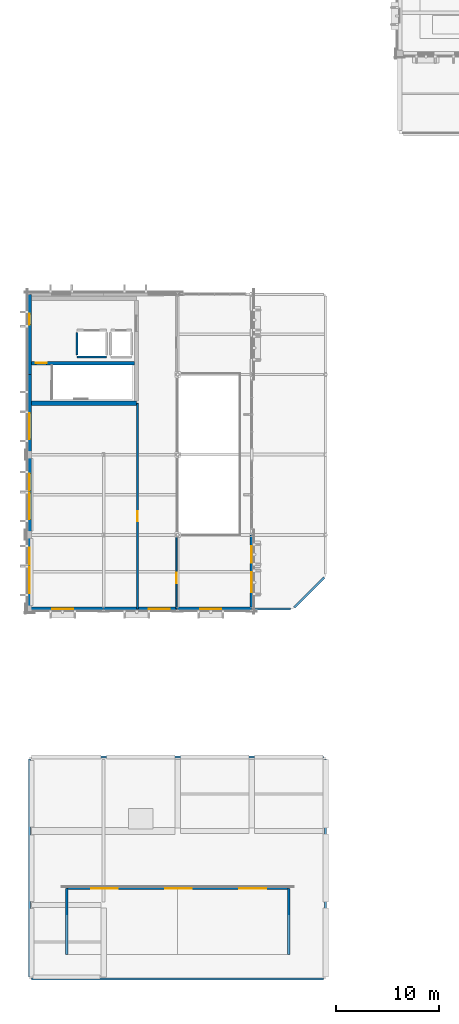
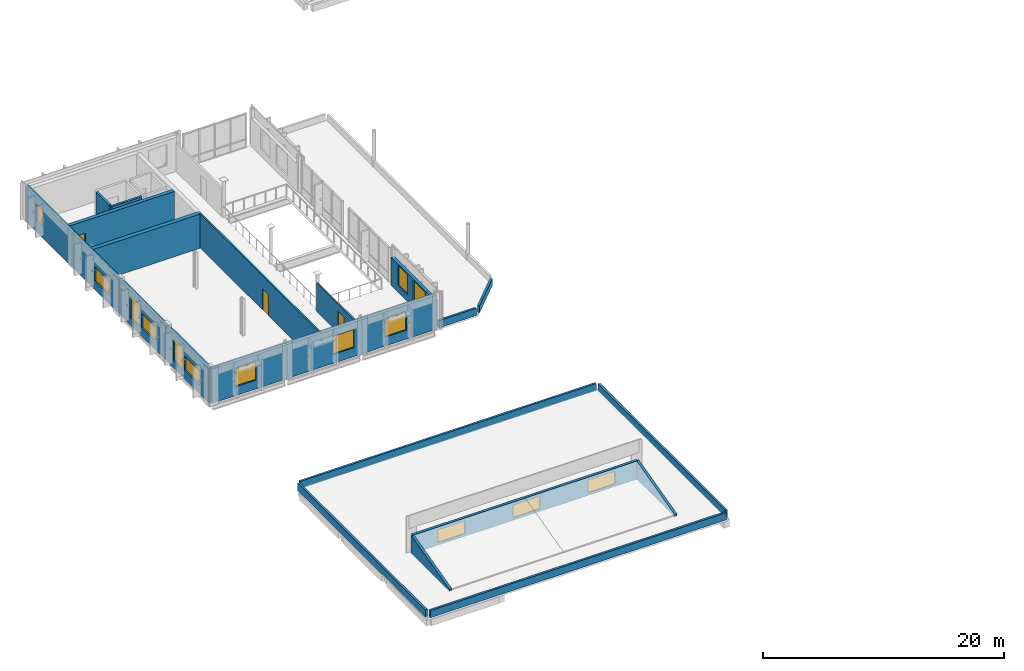
# One storey, part 10 of 23: 23 walls, 14 windows, 3 doors, 17 openings.
"""IFC4 building model written with IfcOpenShell, lengths in metres."""

import ifcopenshell
import ifcopenshell.guid

model = None  # the IFC model being written
_history = None  # IfcOwnerHistory: only IFC2X3 demands one
_inside = {}  # id of a spatial element -> (the spatial element, [elements in it])
_under = {}  # id of a project, library or spatial element -> (it, [spatial elements below it])
_declared = {}  # id of a project -> (the project, [libraries it declares])
_typed = {}  # id of a type object -> (the type object, [elements of that type])
_made_of = {}  # id of a material, layer set ... -> (it, [elements and type objects made of it])


def new_model(schema):
    """Start an empty IFC model of exactly this schema.

    Asked for "IFC4X3", IfcOpenShell would pick the latest addendum, in which some entities
    have other attributes; the version numbers below select the first issue.
    IFC2X3 requires an IfcOwnerHistory on every rooted entity: one is made here for all.
    """
    global model, _history
    if schema == "IFC4X3":
        model = ifcopenshell.file(schema_version=(4, 3, 0, 0))
    else:
        model = ifcopenshell.file(schema=schema)
    _inside.clear()
    _under.clear()
    _declared.clear()
    _typed.clear()
    _made_of.clear()
    _history = None
    if model.schema == "IFC2X3":
        org = make("IfcOrganization", Name="unknown")
        user = make(
            "IfcPersonAndOrganization",
            ThePerson=make("IfcPerson", FamilyName="unknown"),
            TheOrganization=org,
        )
        app = make(
            "IfcApplication",
            ApplicationDeveloper=org,
            Version="unknown",
            ApplicationFullName="unknown",
            ApplicationIdentifier="unknown",
        )
        _history = make(
            "IfcOwnerHistory",
            OwningUser=user,
            OwningApplication=app,
            ChangeAction="ADDED",
            CreationDate=0,
        )
    return model


def make(cls, **values):
    """One entity of the class cls with the attributes given. An attribute that is None is left unset."""
    return model.create_entity(
        cls, **{name: value for name, value in values.items() if value is not None}
    )


def rooted(cls, **values):
    """An entity with a GlobalId (a new one), such as an element, a storey or a relation."""
    return make(cls, GlobalId=ifcopenshell.guid.new(), OwnerHistory=_history, **values)


def si_unit(unit_type, name, prefix=None):
    """IfcSIUnit, for example si_unit("LENGTHUNIT", "METRE", prefix="MILLI")."""
    return make("IfcSIUnit", UnitType=unit_type, Prefix=prefix, Name=name)


def assignment(units):
    """IfcUnitAssignment: the units of a project."""
    return None if units is None else make("IfcUnitAssignment", Units=units)


def point(xyz):
    """IfcCartesianPoint."""
    return None if xyz is None else make("IfcCartesianPoint", Coordinates=xyz)


def direction(xyz):
    """IfcDirection."""
    return None if xyz is None else make("IfcDirection", DirectionRatios=xyz)


def frame(location, z_axis=None, x_axis=None):
    """IfcAxis2Placement3D, a coordinate frame: its origin and axes. An axis left out is left unset."""
    return make(
        "IfcAxis2Placement3D",
        Location=point(location),
        Axis=direction(z_axis),
        RefDirection=direction(x_axis),
    )


def frame_2d(location, x_axis=None):
    """IfcAxis2Placement2D, a coordinate frame in the plane: its origin and x axis."""
    return make(
        "IfcAxis2Placement2D", Location=point(location), RefDirection=direction(x_axis)
    )


def origin():
    """The frame at (0, 0, 0) with its axes left unset."""
    return frame((0.0, 0.0, 0.0))


def place(relative_to, where):
    """IfcLocalPlacement: puts the frame where relative to a parent placement (None: the world)."""
    return make(
        "IfcLocalPlacement", PlacementRelTo=relative_to, RelativePlacement=where
    )


def context(
    kind, dimensions, precision=None, world=None, true_north=None, identifier=None
):
    """IfcGeometricRepresentationContext, for example the 3D "Model" context."""
    return make(
        "IfcGeometricRepresentationContext",
        ContextIdentifier=identifier,
        ContextType=kind,
        CoordinateSpaceDimension=dimensions,
        Precision=precision,
        WorldCoordinateSystem=world,
        TrueNorth=true_north,
    )


def subcontext(parent, identifier, kind, view, scale=None):
    """IfcGeometricRepresentationSubContext, for example "Body" below "Model"."""
    return make(
        "IfcGeometricRepresentationSubContext",
        ContextIdentifier=identifier,
        ContextType=kind,
        ParentContext=parent,
        TargetScale=scale,
        TargetView=view,
    )


def project(units=None, contexts=None):
    """IfcProject with its units and contexts."""
    return rooted(
        "IfcProject",
        Name="project",
        RepresentationContexts=contexts,
        UnitsInContext=assignment(units),
    )


def spatial(cls, under=None, at=None, **own):
    """A site, building, storey or space (cls), placed at a placement, below another one or the project."""
    s = rooted(cls, ObjectPlacement=at, **own)
    if under is not None:
        _under.setdefault(under.id(), (under, []))[1].append(s)
    return s


def polyline(points):
    """IfcPolyline through the points."""
    return make("IfcPolyline", Points=[point(p) for p in points])


def profile(cls, at=None, kind="AREA", **sizes):
    """A parametric profile (cls). Its sizes go by their IFC names, for example OverallWidth=200.0."""
    return make(cls, ProfileType=kind, Position=at, **sizes)


def rectangle(**sizes):
    """IfcRectangleProfileDef."""
    return profile("IfcRectangleProfileDef", **sizes)


def outline(outer, holes=None, kind="AREA"):
    """IfcArbitraryClosedProfileDef: a profile drawn as a closed curve; with holes, ...WithVoids."""
    if holes is None:
        return make("IfcArbitraryClosedProfileDef", ProfileType=kind, OuterCurve=outer)
    return make(
        "IfcArbitraryProfileDefWithVoids",
        ProfileType=kind,
        OuterCurve=outer,
        InnerCurves=holes,
    )


def extrude(swept, where, along, depth):
    """IfcExtrudedAreaSolid: the profile swept, set in the frame where, extruded along a direction by depth."""
    return make(
        "IfcExtrudedAreaSolid",
        SweptArea=swept,
        Position=where,
        ExtrudedDirection=direction(along),
        Depth=depth,
    )


def shape(context_of_items, identifier, shape_type, items):
    """IfcShapeRepresentation: the items that make up one representation, for example the "Body"."""
    return make(
        "IfcShapeRepresentation",
        ContextOfItems=context_of_items,
        RepresentationIdentifier=identifier,
        RepresentationType=shape_type,
        Items=items,
    )


def material(Name=None, Category=None):
    """IfcMaterial."""
    return make("IfcMaterial", Name=Name, Category=Category)


def layer(
    of_material, thickness, ventilated=None, Name=None, Category=None, Priority=None
):
    """IfcMaterialLayer: one layer of a wall or slab, of a material (None: an air gap)."""
    return make(
        "IfcMaterialLayer",
        Material=of_material,
        LayerThickness=thickness,
        IsVentilated=ventilated,
        Name=Name,
        Category=Category,
        Priority=Priority,
    )


def layer_set(layers, Name=None):
    """IfcMaterialLayerSet."""
    return make("IfcMaterialLayerSet", MaterialLayers=layers, LayerSetName=Name)


def made_of(thing, what):
    """Note that an element or type object is made of a material, layer set ...; save() writes the relation."""
    if what is not None:
        _made_of.setdefault(what.id(), (what, []))[1].append(thing)
    return thing


def type_object(cls, material=None, **own):
    """A type object (cls), such as IfcWallType, which elements share."""
    return made_of(rooted(cls, **own), material)


def element(
    cls,
    number,
    at=None,
    inside=None,
    cuts=None,
    type_object=None,
    material=None,
    context=None,
    identifier="Body",
    shape_type=None,
    held_by="IfcProductDefinitionShape",
    body=None,
    shapes=None,
    **own,
):
    """One element of the class cls, such as IfcWall. Its Tag is "e" and its number.

    at: its placement. inside: the storey or other place that contains it. cuts: it is an
    opening in that element (IfcRelVoidsElement). A single representation is given by context,
    identifier, shape_type and body (its items); several are given by shapes. held_by: the class
    of the entity that holds the representations. save() writes the other relations.
    """
    e = rooted(cls, Tag="e%d" % number, ObjectPlacement=at, **own)
    if body is not None:
        shapes = [shape(context, identifier, shape_type, body)]
    if shapes is not None:
        e.Representation = make(held_by, Representations=shapes)
    if inside is not None:
        _inside.setdefault(inside.id(), (inside, []))[1].append(e)
    if cuts is not None:
        rooted(
            "IfcRelVoidsElement", RelatingBuildingElement=cuts, RelatedOpeningElement=e
        )
    if type_object is not None:
        _typed.setdefault(type_object.id(), (type_object, []))[1].append(e)
    return made_of(e, material)


def fill(opening, filler):
    """IfcRelFillsElement: the door or window that sits in an opening."""
    return rooted(
        "IfcRelFillsElement",
        RelatingOpeningElement=opening,
        RelatedBuildingElement=filler,
    )


def aggregate(whole, parts):
    """IfcRelAggregates: a whole, such as a stair, and the parts it consists of."""
    return rooted("IfcRelAggregates", RelatingObject=whole, RelatedObjects=parts)


def save(model, path):
    """Write the relations noted so far, then the file.

    IfcRelAggregates (storeys below a building ...), IfcRelContainedInSpatialStructure (elements
    in a storey), IfcRelDefinesByType, IfcRelAssociatesMaterial and IfcRelDeclares: one each for
    every whole, place, type object, material and project.
    """
    for whole, parts in _under.values():
        aggregate(whole, parts)
    for where, things in _inside.values():
        rooted(
            "IfcRelContainedInSpatialStructure",
            RelatedElements=things,
            RelatingStructure=where,
        )
    for kind, things in _typed.values():
        rooted("IfcRelDefinesByType", RelatedObjects=things, RelatingType=kind)
    for what, things in _made_of.values():
        rooted("IfcRelAssociatesMaterial", RelatedObjects=things, RelatingMaterial=what)
    for by, libraries in _declared.values():
        rooted("IfcRelDeclares", RelatingContext=by, RelatedDefinitions=libraries)
    model.write(path)


model = new_model("IFC4")

# Units and contexts
model_context = context("Model", 3, precision=1e-05, world=origin(), true_north=direction((0.0, 1.0)))
body_context = subcontext(model_context, "Body", "Model", "MODEL_VIEW")
ifc_project = project(units=[si_unit("LENGTHUNIT", "METRE"), si_unit("AREAUNIT", "SQUARE_METRE"), si_unit("VOLUMEUNIT", "CUBIC_METRE"), si_unit("PLANEANGLEUNIT", "RADIAN"), si_unit("MASSUNIT", "GRAM", prefix="KILO")], contexts=[model_context])

# Site, building, storey
site_placement = place(None, origin())
site = spatial("IfcSite", under=ifc_project, at=site_placement, CompositionType="ELEMENT")
building_placement = place(site_placement, origin())
building = spatial("IfcBuilding", under=site, at=building_placement, Name="Vervanel Yard Central Library", CompositionType="ELEMENT")
storey_placement = place(building_placement, frame((0.0, 0.0, 16.52001953125)))
storey = spatial("IfcBuildingStorey", under=building, at=storey_placement, Name="L04", CompositionType="ELEMENT", Elevation=16.52001953125)

# Wall, opening, door
ifc_material_1 = material(Name="Fire-rated gypsum board on steel studs", Category="steel")
ifc_layer_1 = layer(ifc_material_1, 0.159912109375, Category="steel")
ifc_layer_set_1 = layer_set([ifc_layer_1], Name="Fire-rated gypsum board on steel studs")
wall_type_1 = type_object("IfcWallType", Name="Acoustic Glazed Partition 160", PredefinedType="PARTITIONING", material=ifc_layer_set_1)
wall_1_placement = place(storey_placement, frame((14.300048828125, 36.0, 0.0), z_axis=(0.0, 0.0, 1.0), x_axis=(0.0, 1.0, 0.0)))
wall_1 = element("IfcWall", 1, at=wall_1_placement, inside=storey, type_object=wall_type_1, Name="L04 Acoustic Glazed Partition 160 IPART-L04-0120", PredefinedType="PARTITIONING", context=body_context, shape_type="SweptSolid", body=[
    extrude(rectangle(XDim=7.1201171875, YDim=0.159912109375, at=frame_2d((3.56005859375, 0.0))), origin(), (0.0, 0.0, 1.0), 2.86279296875),
])
opening_1_placement = place(wall_1_placement, frame((2.5, 0.0, 0.0)))
opening_1 = element("IfcOpeningElement", 2, at=opening_1_placement, cuts=wall_1, Name="Opening DR-01", PredefinedType="OPENING", context=body_context, shape_type="SweptSolid", body=[
    extrude(rectangle(XDim=1.0, YDim=2.14990234375, at=frame_2d((0.5, 1.074951171875))), frame((0.0, 0.08984375, 0.0), z_axis=(0.0, -1.0, 0.0), x_axis=(1.0, 0.0, 0.0)), (0.0, 0.0, 1.0), 0.179931640625),
])
ifc_material_2 = material(Name="Solid white oak acoustic joinery", Category="wood")
door_type_1 = type_object("IfcDoorType", Name="Interior Single Door 1000x2150", OperationType="NOTDEFINED", PredefinedType="DOOR", material=ifc_material_2)
door_1_placement = place(opening_1_placement, origin())
door_1 = element("IfcDoor", 3, at=door_1_placement, inside=storey, type_object=door_type_1, Name="L04 Interior Single Door 1000x2150 IDOOR-L04-0093", OperationType="SINGLE_SWING_LEFT", OverallHeight=2.14990234375, OverallWidth=1.0, PredefinedType="DOOR", context=body_context, shape_type="SweptSolid", body=[
    extrude(rectangle(XDim=1.0, YDim=2.14990234375, at=frame_2d((0.5, 1.074951171875))), frame((0.0, 0.02490234375, 0.0), z_axis=(0.0, -1.0, 0.0), x_axis=(1.0, 0.0, 0.0)), (0.0, 0.0, 1.0), 0.050048828125),
])
fill(opening_1, door_1)

# Wall, openings, windows
ifc_material_3 = material(Name="Precast concrete C45/55", Category="concrete")
ifc_layer_2 = layer(ifc_material_3, 0.300048828125, Category="concrete")
ifc_layer_set_2 = layer_set([ifc_layer_2], Name="Precast concrete C45/55")
wall_type_2 = type_object("IfcWallType", Name="Bush-Hammered Precast Cladding Wall 300", PredefinedType="SOLIDWALL", material=ifc_layer_set_2)
wall_2_placement = place(storey_placement, frame((21.60009765625, 36.0, 0.0), z_axis=(0.0, 0.0, 1.0), x_axis=(0.0, 1.0, 0.0)))
wall_2 = element("IfcWall", 4, at=wall_2_placement, inside=storey, type_object=wall_type_2, Name="L04 Bush-Hammered Precast Cladding Wall 300 EWALL-L04-0146", PredefinedType="SOLIDWALL", context=body_context, shape_type="SweptSolid", body=[
    extrude(rectangle(XDim=7.199951171875, YDim=0.300048828125, at=frame_2d((3.60009765625, 0.0))), origin(), (0.0, 0.0, 1.0), 2.86279296875),
])
opening_2_placement = place(wall_2_placement, frame((1.60009765625, 0.0, 0.64306640625)))
opening_2 = element("IfcOpeningElement", 5, at=opening_2_placement, cuts=wall_2, Name="Opening WN-24", PredefinedType="OPENING", context=body_context, shape_type="SweptSolid", body=[
    extrude(rectangle(XDim=1.949951171875, YDim=2.10009765625, at=frame_2d((0.97509765625, 1.050048828125))), frame((0.0, 0.159912109375, 0.0), z_axis=(0.0, -1.0, 0.0), x_axis=(1.0, 0.0, 0.0)), (0.0, 0.0, 1.0), 0.320068359375),
])
opening_3_placement = place(wall_2_placement, frame((4.5, 0.0, 0.693115234375)))
opening_3 = element("IfcOpeningElement", 6, at=opening_3_placement, cuts=wall_2, Name="Opening WN-20", PredefinedType="OPENING", context=body_context, shape_type="SweptSolid", body=[
    extrude(rectangle(XDim=1.60009765625, YDim=2.050048828125, at=frame_2d((0.800048828125, 1.02490234375))), frame((0.0, 0.159912109375, 0.0), z_axis=(0.0, -1.0, 0.0), x_axis=(1.0, 0.0, 0.0)), (0.0, 0.0, 1.0), 0.320068359375),
])
ifc_material_4 = material(Name="Double low-E laminated solar-control glass", Category="glass")
window_type_1 = type_object("IfcWindowType", Name="Atrium Study Window 1950x2100", PartitioningType="SINGLE_PANEL", PredefinedType="WINDOW", material=ifc_material_4)
window_1_placement = place(opening_2_placement, origin())
window_1 = element("IfcWindow", 7, at=window_1_placement, inside=storey, type_object=window_type_1, Name="L04 Atrium Study Window 1950x2100 196", OverallHeight=2.10009765625, OverallWidth=1.949951171875, PartitioningType="SINGLE_PANEL", PredefinedType="WINDOW", context=body_context, shape_type="SweptSolid", body=[
    extrude(rectangle(XDim=1.949951171875, YDim=2.10009765625, at=frame_2d((0.97509765625, 1.050048828125))), frame((0.0, 0.030029296875, 0.0), z_axis=(0.0, -1.0, 0.0), x_axis=(1.0, 0.0, 0.0)), (0.0, 0.0, 1.0), 0.06005859375),
])
fill(opening_2, window_1)
window_type_2 = type_object("IfcWindowType", Name="Reading Courtyard Window 1600x2050", PartitioningType="SINGLE_PANEL", PredefinedType="WINDOW", material=ifc_material_4)
window_2_placement = place(opening_3_placement, origin())
window_2 = element("IfcWindow", 8, at=window_2_placement, inside=storey, type_object=window_type_2, Name="L04 Reading Courtyard Window 1600x2050 197", OverallHeight=2.050048828125, OverallWidth=1.60009765625, PartitioningType="SINGLE_PANEL", PredefinedType="WINDOW", context=body_context, shape_type="SweptSolid", body=[
    extrude(rectangle(XDim=1.60009765625, YDim=2.050048828125, at=frame_2d((0.800048828125, 1.02490234375))), frame((0.0, 0.030029296875, 0.0), z_axis=(0.0, -1.0, 0.0), x_axis=(1.0, 0.0, 0.0)), (0.0, 0.0, 1.0), 0.06005859375),
])
fill(opening_3, window_2)

# Wall
ifc_material_5 = material(Name="Concrete C45/55", Category="concrete")
ifc_layer_3 = layer(ifc_material_5, 0.39990234375, Category="concrete")
ifc_layer_set_3 = layer_set([ifc_layer_3], Name="Concrete C45/55")
wall_type_3 = type_object("IfcWallType", Name="Core Primary Shear Wall 400", PredefinedType="SHEAR", material=ifc_layer_set_3)
wall_3_placement = place(storey_placement, frame((0.169921875, 56.0, 0.0), z_axis=(0.0, 0.0, 1.0), x_axis=(1.0, 0.0, 0.0)))
element("IfcWall", 9, at=wall_3_placement, inside=storey, type_object=wall_type_3, Name="L04 CORE-C Shear Wall S", PredefinedType="SHEAR", context=body_context, shape_type="SweptSolid", body=[
    extrude(rectangle(XDim=10.22998046875, YDim=0.39990234375, at=frame_2d((5.114990234375, 0.0))), origin(), (0.0, 0.0, 1.0), 3.4599609375),
])

# Wall, opening, door
ifc_layer_4 = layer(ifc_material_5, 0.35009765625, Category="concrete")
ifc_layer_set_4 = layer_set([ifc_layer_4], Name="Concrete C45/55")
wall_type_4 = type_object("IfcWallType", Name="Core Secondary Shear Wall 350", PredefinedType="SHEAR", material=ifc_layer_set_4)
wall_4_placement = place(storey_placement, frame((0.169921875, 59.89501953125, 0.0), z_axis=(0.0, 0.0, 1.0), x_axis=(1.0, 0.0, 0.0)))
wall_4 = element("IfcWall", 10, at=wall_4_placement, inside=storey, type_object=wall_type_4, Name="L04 CORE-C Stair Shaft Wall", PredefinedType="SHEAR", context=body_context, shape_type="SweptSolid", body=[
    extrude(rectangle(XDim=10.030029296875, YDim=0.35009765625, at=frame_2d((5.01513671875, 0.0))), origin(), (0.0, 0.0, 1.0), 3.4599609375),
])
opening_4_placement = place(wall_4_placement, frame((0.449951171875, 0.0, 0.0)))
opening_4 = element("IfcOpeningElement", 11, at=opening_4_placement, cuts=wall_4, Name="Opening DR-F01", PredefinedType="OPENING", context=body_context, shape_type="SweptSolid", body=[
    extrude(rectangle(XDim=1.050048828125, YDim=2.199951171875, at=frame_2d((0.52490234375, 1.10009765625))), frame((0.0, 0.18505859375, 0.0), z_axis=(0.0, -1.0, 0.0), x_axis=(1.0, 0.0, 0.0)), (0.0, 0.0, 1.0), 0.3701171875),
])
ifc_material_6 = material(Name="Galvanized painted steelwork ASTM A500 Grade C", Category="steel")
door_type_2 = type_object("IfcDoorType", Name="Fire-Rated Stair Exit Door 1050x2200", OperationType="NOTDEFINED", PredefinedType="DOOR", material=ifc_material_6)
door_2_placement = place(opening_4_placement, origin())
door_2 = element("IfcDoor", 12, at=door_2_placement, inside=storey, type_object=door_type_2, Name="L04 CORE-C Stair Door", OperationType="SINGLE_SWING_LEFT", OverallHeight=2.199951171875, OverallWidth=1.050048828125, PredefinedType="DOOR", context=body_context, shape_type="SweptSolid", body=[
    extrude(rectangle(XDim=1.050048828125, YDim=2.199951171875, at=frame_2d((0.52490234375, 1.10009765625))), frame((0.0, 0.02490234375, 0.0), z_axis=(0.0, -1.0, 0.0), x_axis=(1.0, 0.0, 0.0)), (0.0, 0.0, 1.0), 0.050048828125),
])
fill(opening_4, door_2)

# Wall, openings, windows
ifc_layer_5 = layer(ifc_material_5, 0.340087890625, Category="concrete")
ifc_layer_set_5 = layer_set([ifc_layer_5], Name="Concrete C45/55")
wall_type_5 = type_object("IfcWallType", Name="Exterior Bearing Concrete Frame Wall 340", PredefinedType="SOLIDWALL", material=ifc_layer_set_5)
wall_5_placement = place(storey_placement, frame((0.0, 36.0, 0.0), z_axis=(0.0, 0.0, 1.0), x_axis=(0.0, 1.0, 0.0)))
wall_5 = element("IfcWall", 13, at=wall_5_placement, inside=storey, type_object=wall_type_5, Name="L04 Exterior Bearing Concrete Frame Wall 340 EWALL-L04-0142", PredefinedType="SOLIDWALL", context=body_context, shape_type="SweptSolid", body=[
    extrude(rectangle(XDim=7.199951171875, YDim=0.340087890625, at=frame_2d((3.60009765625, 0.0))), origin(), (0.0, 0.0, 1.0), 3.4599609375),
])
opening_5_placement = place(wall_5_placement, frame((1.5, 0.0, 0.85009765625)))
opening_5 = element("IfcOpeningElement", 14, at=opening_5_placement, cuts=wall_5, Name="Opening WN-27", PredefinedType="OPENING", context=body_context, shape_type="SweptSolid", body=[
    extrude(rectangle(XDim=2.550048828125, YDim=1.449951171875, at=frame_2d((1.27490234375, 0.72509765625))), frame((0.0, 0.179931640625, 0.0), z_axis=(0.0, -1.0, 0.0), x_axis=(1.0, 0.0, 0.0)), (0.0, 0.0, 1.0), 0.360107421875),
])
opening_6_placement = place(wall_5_placement, frame((4.300048828125, 0.0, 0.718017578125)))
opening_6 = element("IfcOpeningElement", 15, at=opening_6_placement, cuts=wall_5, Name="Opening WN-07", PredefinedType="OPENING", context=body_context, shape_type="SweptSolid", body=[
    extrude(rectangle(XDim=1.64990234375, YDim=2.25, at=frame_2d((0.824951171875, 1.125))), frame((0.0, 0.179931640625, 0.0), z_axis=(0.0, -1.0, 0.0), x_axis=(1.0, 0.0, 0.0)), (0.0, 0.0, 1.0), 0.360107421875),
])
window_type_3 = type_object("IfcWindowType", Name="Atrium Wing Window 1650x2250", PartitioningType="SINGLE_PANEL", PredefinedType="WINDOW", material=ifc_material_4)
window_3_placement = place(opening_6_placement, origin())
window_3 = element("IfcWindow", 16, at=window_3_placement, inside=storey, type_object=window_type_3, Name="L04 Atrium Wing Window 1650x2250 190", OverallHeight=2.25, OverallWidth=1.64990234375, PartitioningType="SINGLE_PANEL", PredefinedType="WINDOW", context=body_context, shape_type="SweptSolid", body=[
    extrude(rectangle(XDim=1.64990234375, YDim=2.25, at=frame_2d((0.824951171875, 1.125))), frame((0.0, 0.030029296875, 0.0), z_axis=(0.0, -1.0, 0.0), x_axis=(1.0, 0.0, 0.0)), (0.0, 0.0, 1.0), 0.06005859375),
])
fill(opening_6, window_3)
window_type_4 = type_object("IfcWindowType", Name="Gallery Clerestory Window 2550x1450", PartitioningType="SINGLE_PANEL", PredefinedType="WINDOW", material=ifc_material_4)
window_4_placement = place(opening_5_placement, origin())
window_4 = element("IfcWindow", 17, at=window_4_placement, inside=storey, type_object=window_type_4, Name="L04 Gallery Clerestory Window 2550x1450 189", OverallHeight=1.449951171875, OverallWidth=2.550048828125, PartitioningType="SINGLE_PANEL", PredefinedType="WINDOW", context=body_context, shape_type="SweptSolid", body=[
    extrude(rectangle(XDim=2.550048828125, YDim=1.449951171875, at=frame_2d((1.27490234375, 0.72509765625))), frame((0.0, 0.030029296875, 0.0), z_axis=(0.0, -1.0, 0.0), x_axis=(1.0, 0.0, 0.0)), (0.0, 0.0, 1.0), 0.06005859375),
])
fill(opening_5, window_4)

wall_6_placement = place(storey_placement, frame((0.0, 43.199951171875, 0.0), z_axis=(0.0, 0.0, 1.0), x_axis=(0.0, 1.0, 0.0)))
wall_6 = element("IfcWall", 18, at=wall_6_placement, inside=storey, type_object=wall_type_5, Name="L04 Exterior Bearing Concrete Frame Wall 340 EWALL-L04-0143", PredefinedType="SOLIDWALL", context=body_context, shape_type="SweptSolid", body=[
    extrude(rectangle(XDim=7.800048828125, YDim=0.340087890625, at=frame_2d((3.89990234375, 0.0))), origin(), (0.0, 0.0, 1.0), 3.4599609375),
])
opening_7_placement = place(wall_6_placement, frame((1.5, 0.0, 0.85009765625)))
opening_7 = element("IfcOpeningElement", 19, at=opening_7_placement, cuts=wall_6, Name="Opening WN-27", PredefinedType="OPENING", context=body_context, shape_type="SweptSolid", body=[
    extrude(rectangle(XDim=2.550048828125, YDim=1.449951171875, at=frame_2d((1.27490234375, 0.72509765625))), frame((0.0, 0.179931640625, 0.0), z_axis=(0.0, -1.0, 0.0), x_axis=(1.0, 0.0, 0.0)), (0.0, 0.0, 1.0), 0.360107421875),
])
opening_8_placement = place(wall_6_placement, frame((4.300048828125, 0.0, 0.718017578125)))
opening_8 = element("IfcOpeningElement", 20, at=opening_8_placement, cuts=wall_6, Name="Opening WN-07", PredefinedType="OPENING", context=body_context, shape_type="SweptSolid", body=[
    extrude(rectangle(XDim=1.64990234375, YDim=2.25, at=frame_2d((0.824951171875, 1.125))), frame((0.0, 0.179931640625, 0.0), z_axis=(0.0, -1.0, 0.0), x_axis=(1.0, 0.0, 0.0)), (0.0, 0.0, 1.0), 0.360107421875),
])
window_5_placement = place(opening_8_placement, origin())
window_5 = element("IfcWindow", 21, at=window_5_placement, inside=storey, type_object=window_type_3, Name="L04 Atrium Wing Window 1650x2250 192", OverallHeight=2.25, OverallWidth=1.64990234375, PartitioningType="SINGLE_PANEL", PredefinedType="WINDOW", context=body_context, shape_type="SweptSolid", body=[
    extrude(rectangle(XDim=1.64990234375, YDim=2.25, at=frame_2d((0.824951171875, 1.125))), frame((0.0, 0.030029296875, 0.0), z_axis=(0.0, -1.0, 0.0), x_axis=(1.0, 0.0, 0.0)), (0.0, 0.0, 1.0), 0.06005859375),
])
fill(opening_8, window_5)
window_6_placement = place(opening_7_placement, origin())
window_6 = element("IfcWindow", 22, at=window_6_placement, inside=storey, type_object=window_type_4, Name="L04 Gallery Clerestory Window 2550x1450 191", OverallHeight=1.449951171875, OverallWidth=2.550048828125, PartitioningType="SINGLE_PANEL", PredefinedType="WINDOW", context=body_context, shape_type="SweptSolid", body=[
    extrude(rectangle(XDim=2.550048828125, YDim=1.449951171875, at=frame_2d((1.27490234375, 0.72509765625))), frame((0.0, 0.030029296875, 0.0), z_axis=(0.0, -1.0, 0.0), x_axis=(1.0, 0.0, 0.0)), (0.0, 0.0, 1.0), 0.06005859375),
])
fill(opening_7, window_6)

# Wall, opening, window
wall_7_placement = place(storey_placement, frame((0.0, 51.0, 0.0), z_axis=(0.0, 0.0, 1.0), x_axis=(0.0, 1.0, 0.0)))
wall_7 = element("IfcWall", 23, at=wall_7_placement, inside=storey, type_object=wall_type_5, Name="L04 Exterior Bearing Concrete Frame Wall 340 EWALL-L04-0144", PredefinedType="SOLIDWALL", context=body_context, shape_type="SweptSolid", body=[
    extrude(rectangle(XDim=7.800048828125, YDim=0.340087890625, at=frame_2d((3.89990234375, 0.0))), origin(), (0.0, 0.0, 1.0), 3.4599609375),
])
opening_9_placement = place(wall_7_placement, frame((1.5, 0.0, 0.85009765625)))
opening_9 = element("IfcOpeningElement", 24, at=opening_9_placement, cuts=wall_7, Name="Opening WN-27", PredefinedType="OPENING", context=body_context, shape_type="SweptSolid", body=[
    extrude(rectangle(XDim=2.550048828125, YDim=1.449951171875, at=frame_2d((1.27490234375, 0.72509765625))), frame((0.0, 0.179931640625, 0.0), z_axis=(0.0, -1.0, 0.0), x_axis=(1.0, 0.0, 0.0)), (0.0, 0.0, 1.0), 0.360107421875),
])
window_7_placement = place(opening_9_placement, origin())
window_7 = element("IfcWindow", 25, at=window_7_placement, inside=storey, type_object=window_type_4, Name="L04 Gallery Clerestory Window 2550x1450 193", OverallHeight=1.449951171875, OverallWidth=2.550048828125, PartitioningType="SINGLE_PANEL", PredefinedType="WINDOW", context=body_context, shape_type="SweptSolid", body=[
    extrude(rectangle(XDim=2.550048828125, YDim=1.449951171875, at=frame_2d((1.27490234375, 0.72509765625))), frame((0.0, 0.030029296875, 0.0), z_axis=(0.0, -1.0, 0.0), x_axis=(1.0, 0.0, 0.0)), (0.0, 0.0, 1.0), 0.06005859375),
])
fill(opening_9, window_7)

wall_8_placement = place(storey_placement, frame((0.0, 58.800048828125, 0.0), z_axis=(0.0, 0.0, 1.0), x_axis=(0.0, 1.0, 0.0)))
wall_8 = element("IfcWall", 26, at=wall_8_placement, inside=storey, type_object=wall_type_5, Name="L04 Exterior Bearing Concrete Frame Wall 340 EWALL-L04-0145", PredefinedType="SOLIDWALL", context=body_context, shape_type="SweptSolid", body=[
    extrude(rectangle(XDim=7.800048828125, YDim=0.340087890625, at=frame_2d((3.89990234375, 0.0))), origin(), (0.0, 0.0, 1.0), 3.4599609375),
])
opening_10_placement = place(wall_8_placement, frame((4.85009765625, 0.0, 1.10009765625)))
opening_10 = element("IfcOpeningElement", 27, at=opening_10_placement, cuts=wall_8, Name="Opening WN-16", PredefinedType="OPENING", context=body_context, shape_type="SweptSolid", body=[
    extrude(rectangle(XDim=1.050048828125, YDim=1.75, at=frame_2d((0.52490234375, 0.875))), frame((0.0, 0.179931640625, 0.0), z_axis=(0.0, -1.0, 0.0), x_axis=(1.0, 0.0, 0.0)), (0.0, 0.0, 1.0), 0.360107421875),
])
window_type_5 = type_object("IfcWindowType", Name="Study Carrel Punch Window 1050x1750", PartitioningType="SINGLE_PANEL", PredefinedType="WINDOW", material=ifc_material_4)
window_8_placement = place(opening_10_placement, origin())
window_8 = element("IfcWindow", 28, at=window_8_placement, inside=storey, type_object=window_type_5, Name="L04 Study Carrel Punch Window 1050x1750 195", OverallHeight=1.75, OverallWidth=1.050048828125, PartitioningType="SINGLE_PANEL", PredefinedType="WINDOW", context=body_context, shape_type="SweptSolid", body=[
    extrude(rectangle(XDim=1.050048828125, YDim=1.75, at=frame_2d((0.52490234375, 0.875))), frame((0.0, 0.030029296875, 0.0), z_axis=(0.0, -1.0, 0.0), x_axis=(1.0, 0.0, 0.0)), (0.0, 0.0, 1.0), 0.06005859375),
])
fill(opening_10, window_8)

wall_9_placement = place(storey_placement, frame((0.0, 36.0, 0.0), z_axis=(0.0, 0.0, 1.0), x_axis=(1.0, 0.0, 0.0)))
wall_9 = element("IfcWall", 29, at=wall_9_placement, inside=storey, type_object=wall_type_5, Name="L04 Exterior Bearing Concrete Frame Wall 340 EWALL-L04-0149", PredefinedType="SOLIDWALL", context=body_context, shape_type="SweptSolid", body=[
    extrude(rectangle(XDim=7.199951171875, YDim=0.340087890625, at=frame_2d((3.60009765625, 0.0))), origin(), (0.0, 0.0, 1.0), 3.4599609375),
])
opening_11_placement = place(wall_9_placement, frame((2.199951171875, 0.0, 0.89990234375)))
opening_11 = element("IfcOpeningElement", 30, at=opening_11_placement, cuts=wall_9, Name="Opening WN-26", PredefinedType="OPENING", context=body_context, shape_type="SweptSolid", body=[
    extrude(rectangle(XDim=2.050048828125, YDim=1.85009765625, at=frame_2d((1.02490234375, 0.925048828125))), frame((0.0, 0.179931640625, 0.0), z_axis=(0.0, -1.0, 0.0), x_axis=(1.0, 0.0, 0.0)), (0.0, 0.0, 1.0), 0.360107421875),
])
window_type_6 = type_object("IfcWindowType", Name="Seminar Acoustic Window 2050x1850", PartitioningType="SINGLE_PANEL", PredefinedType="WINDOW", material=ifc_material_4)
window_9_placement = place(opening_11_placement, origin())
window_9 = element("IfcWindow", 31, at=window_9_placement, inside=storey, type_object=window_type_6, Name="L04 Seminar Acoustic Window 2050x1850 201", OverallHeight=1.85009765625, OverallWidth=2.050048828125, PartitioningType="SINGLE_PANEL", PredefinedType="WINDOW", context=body_context, shape_type="SweptSolid", body=[
    extrude(rectangle(XDim=2.050048828125, YDim=1.85009765625, at=frame_2d((1.02490234375, 0.925048828125))), frame((0.0, 0.030029296875, 0.0), z_axis=(0.0, -1.0, 0.0), x_axis=(1.0, 0.0, 0.0)), (0.0, 0.0, 1.0), 0.06005859375),
])
fill(opening_11, window_9)

wall_10_placement = place(storey_placement, frame((7.199951171875, 36.0, 0.0), z_axis=(0.0, 0.0, 1.0), x_axis=(1.0, 0.0, 0.0)))
wall_10 = element("IfcWall", 32, at=wall_10_placement, inside=storey, type_object=wall_type_5, Name="L04 Exterior Bearing Concrete Frame Wall 340 EWALL-L04-0151", PredefinedType="SOLIDWALL", context=body_context, shape_type="SweptSolid", body=[
    extrude(rectangle(XDim=7.199951171875, YDim=0.340087890625, at=frame_2d((3.60009765625, 0.0))), origin(), (0.0, 0.0, 1.0), 3.4599609375),
])
opening_12_placement = place(wall_10_placement, frame((4.39990234375, 0.0, 0.89990234375)))
opening_12 = element("IfcOpeningElement", 33, at=opening_12_placement, cuts=wall_10, Name="Opening WN-26", PredefinedType="OPENING", context=body_context, shape_type="SweptSolid", body=[
    extrude(rectangle(XDim=2.050048828125, YDim=1.85009765625, at=frame_2d((1.02490234375, 0.925048828125))), frame((0.0, 0.179931640625, 0.0), z_axis=(0.0, -1.0, 0.0), x_axis=(1.0, 0.0, 0.0)), (0.0, 0.0, 1.0), 0.360107421875),
])
window_10_placement = place(opening_12_placement, origin())
window_10 = element("IfcWindow", 34, at=window_10_placement, inside=storey, type_object=window_type_6, Name="L04 Seminar Acoustic Window 2050x1850 203", OverallHeight=1.85009765625, OverallWidth=2.050048828125, PartitioningType="SINGLE_PANEL", PredefinedType="WINDOW", context=body_context, shape_type="SweptSolid", body=[
    extrude(rectangle(XDim=2.050048828125, YDim=1.85009765625, at=frame_2d((1.02490234375, 0.925048828125))), frame((0.0, 0.030029296875, 0.0), z_axis=(0.0, -1.0, 0.0), x_axis=(1.0, 0.0, 0.0)), (0.0, 0.0, 1.0), 0.06005859375),
])
fill(opening_12, window_10)

wall_11_placement = place(storey_placement, frame((14.39990234375, 36.0, 0.0), z_axis=(0.0, 0.0, 1.0), x_axis=(1.0, 0.0, 0.0)))
wall_11 = element("IfcWall", 35, at=wall_11_placement, inside=storey, type_object=wall_type_5, Name="L04 Exterior Bearing Concrete Frame Wall 340 EWALL-L04-0152", PredefinedType="SOLIDWALL", context=body_context, shape_type="SweptSolid", body=[
    extrude(rectangle(XDim=7.2001953125, YDim=0.340087890625, at=frame_2d((3.60009765625, 0.0))), origin(), (0.0, 0.0, 1.0), 3.4599609375),
])
opening_13_placement = place(wall_11_placement, frame((2.199951171875, 0.0, 0.89990234375)))
opening_13 = element("IfcOpeningElement", 36, at=opening_13_placement, cuts=wall_11, Name="Opening WN-26", PredefinedType="OPENING", context=body_context, shape_type="SweptSolid", body=[
    extrude(rectangle(XDim=2.050048828125, YDim=1.85009765625, at=frame_2d((1.02490234375, 0.925048828125))), frame((0.0, 0.179931640625, 0.0), z_axis=(0.0, -1.0, 0.0), x_axis=(1.0, 0.0, 0.0)), (0.0, 0.0, 1.0), 0.360107421875),
])
window_11_placement = place(opening_13_placement, origin())
window_11 = element("IfcWindow", 37, at=window_11_placement, inside=storey, type_object=window_type_6, Name="L04 Seminar Acoustic Window 2050x1850 204", OverallHeight=1.85009765625, OverallWidth=2.050048828125, PartitioningType="SINGLE_PANEL", PredefinedType="WINDOW", context=body_context, shape_type="SweptSolid", body=[
    extrude(rectangle(XDim=2.050048828125, YDim=1.85009765625, at=frame_2d((1.02490234375, 0.925048828125))), frame((0.0, 0.030029296875, 0.0), z_axis=(0.0, -1.0, 0.0), x_axis=(1.0, 0.0, 0.0)), (0.0, 0.0, 1.0), 0.06005859375),
])
fill(opening_13, window_11)

# Wall, opening, door
ifc_layer_6 = layer(ifc_material_1, 0.14990234375, Category="steel")
ifc_layer_set_6 = layer_set([ifc_layer_6], Name="Fire-rated gypsum board on steel studs")
wall_type_6 = type_object("IfcWallType", Name="Interior Partition 150", PredefinedType="PARTITIONING", material=ifc_layer_set_6)
wall_12_placement = place(storey_placement, frame((10.5, 36.0, 0.0), z_axis=(0.0, 0.0, 1.0), x_axis=(0.0, 1.0, 0.0)))
wall_12 = element("IfcWall", 38, at=wall_12_placement, inside=storey, type_object=wall_type_6, Name="L04 Interior Partition 150 IPART-L04-0122", PredefinedType="PARTITIONING", context=body_context, shape_type="SweptSolid", body=[
    extrude(rectangle(XDim=20.0, YDim=0.14990234375, at=frame_2d((10.0, 0.0))), origin(), (0.0, 0.0, 1.0), 3.4599609375),
])
opening_14_placement = place(wall_12_placement, frame((8.5, 0.0, 0.0)))
opening_14 = element("IfcOpeningElement", 39, at=opening_14_placement, cuts=wall_12, Name="Opening DR-01", PredefinedType="OPENING", context=body_context, shape_type="SweptSolid", body=[
    extrude(rectangle(XDim=1.0, YDim=2.14990234375, at=frame_2d((0.5, 1.074951171875))), frame((0.0, 0.0849609375, 0.0), z_axis=(0.0, -1.0, 0.0), x_axis=(1.0, 0.0, 0.0)), (0.0, 0.0, 1.0), 0.169921875),
])
door_3_placement = place(opening_14_placement, origin())
door_3 = element("IfcDoor", 40, at=door_3_placement, inside=storey, type_object=door_type_1, Name="L04 Interior Single Door 1000x2150 IDOOR-L04-0095", OperationType="SINGLE_SWING_LEFT", OverallHeight=2.14990234375, OverallWidth=1.0, PredefinedType="DOOR", context=body_context, shape_type="SweptSolid", body=[
    extrude(rectangle(XDim=1.0, YDim=2.14990234375, at=frame_2d((0.5, 1.074951171875))), frame((0.0, 0.02490234375, 0.0), z_axis=(0.0, -1.0, 0.0), x_axis=(1.0, 0.0, 0.0)), (0.0, 0.0, 1.0), 0.050048828125),
])
fill(opening_14, door_3)

# Wall, openings, windows
ifc_material_7 = material(Name="Concrete C40/50", Category="concrete")
ifc_layer_7 = layer(ifc_material_7, 0.239990234375, Category="concrete")
ifc_layer_set_7 = layer_set([ifc_layer_7], Name="Concrete C40/50")
wall_type_7 = type_object("IfcWallType", Name="Monitor Clerestory Apron Wall 240", PredefinedType="SOLIDWALL", material=ifc_layer_set_7)
wall_13_placement = place(storey_placement, frame((3.60009765625, 8.800048828125, 0.0), z_axis=(0.0, 0.0, 1.0), x_axis=(1.0, 0.0, 0.0)))
wall_13 = element("IfcWall", 41, at=wall_13_placement, inside=storey, type_object=wall_type_7, Name="L04 Monitor Clerestory Apron Wall 240 EWALL-L04-0257", PredefinedType="SOLIDWALL", context=body_context, shape_type="SweptSolid", body=[
    extrude(rectangle(XDim=21.599853515625, YDim=0.239990234375, at=frame_2d((10.7998046875, 0.0))), origin(), (0.0, 0.0, 1.0), 1.85986328125),
])
opening_15_placement = place(wall_13_placement, frame((2.39990234375, 0.0, 0.25)))
opening_15 = element("IfcOpeningElement", 42, at=opening_15_placement, cuts=wall_13, Name="Opening WN-18", PredefinedType="OPENING", context=body_context, shape_type="SweptSolid", body=[
    extrude(rectangle(XDim=2.60009765625, YDim=1.300048828125, at=frame_2d((1.300048828125, 0.64990234375))), frame((0.0, 0.1298828125, 0.0), z_axis=(0.0, -1.0, 0.0), x_axis=(1.0, 0.0, 0.0)), (0.0, 0.0, 1.0), 0.260009765625),
])
opening_16_placement = place(wall_13_placement, frame((9.60009765625, 0.0, 0.25)))
opening_16 = element("IfcOpeningElement", 43, at=opening_16_placement, cuts=wall_13, Name="Opening WN-18", PredefinedType="OPENING", context=body_context, shape_type="SweptSolid", body=[
    extrude(rectangle(XDim=2.60009765625, YDim=1.300048828125, at=frame_2d((1.300048828125, 0.64990234375))), frame((0.0, 0.1298828125, 0.0), z_axis=(0.0, -1.0, 0.0), x_axis=(1.0, 0.0, 0.0)), (0.0, 0.0, 1.0), 0.260009765625),
])
opening_17_placement = place(wall_13_placement, frame((16.800048828125, 0.0, 0.25)))
opening_17 = element("IfcOpeningElement", 44, at=opening_17_placement, cuts=wall_13, Name="Opening WN-18", PredefinedType="OPENING", context=body_context, shape_type="SweptSolid", body=[
    extrude(rectangle(XDim=2.60009765625, YDim=1.300048828125, at=frame_2d((1.300048828125, 0.64990234375))), frame((0.0, 0.1298828125, 0.0), z_axis=(0.0, -1.0, 0.0), x_axis=(1.0, 0.0, 0.0)), (0.0, 0.0, 1.0), 0.260009765625),
])
window_type_7 = type_object("IfcWindowType", Name="Monitor Clerestory Window 2600x1300", PartitioningType="SINGLE_PANEL", PredefinedType="WINDOW", material=ifc_material_4)
window_12_placement = place(opening_15_placement, origin())
window_12 = element("IfcWindow", 45, at=window_12_placement, inside=storey, type_object=window_type_7, Name="L04 Monitor Clerestory Window 2600x1300 321", OverallHeight=1.300048828125, OverallWidth=2.60009765625, PartitioningType="SINGLE_PANEL", PredefinedType="WINDOW", context=body_context, shape_type="SweptSolid", body=[
    extrude(rectangle(XDim=2.60009765625, YDim=1.300048828125, at=frame_2d((1.300048828125, 0.64990234375))), frame((0.0, 0.030029296875, 0.0), z_axis=(0.0, -1.0, 0.0), x_axis=(1.0, 0.0, 0.0)), (0.0, 0.0, 1.0), 0.06005859375),
])
fill(opening_15, window_12)
window_13_placement = place(opening_16_placement, origin())
window_13 = element("IfcWindow", 46, at=window_13_placement, inside=storey, type_object=window_type_7, Name="L04 Monitor Clerestory Window 2600x1300 322", OverallHeight=1.300048828125, OverallWidth=2.60009765625, PartitioningType="SINGLE_PANEL", PredefinedType="WINDOW", context=body_context, shape_type="SweptSolid", body=[
    extrude(rectangle(XDim=2.60009765625, YDim=1.300048828125, at=frame_2d((1.300048828125, 0.64990234375))), frame((0.0, 0.030029296875, 0.0), z_axis=(0.0, -1.0, 0.0), x_axis=(1.0, 0.0, 0.0)), (0.0, 0.0, 1.0), 0.06005859375),
])
fill(opening_16, window_13)
window_14_placement = place(opening_17_placement, origin())
window_14 = element("IfcWindow", 47, at=window_14_placement, inside=storey, type_object=window_type_7, Name="L04 Monitor Clerestory Window 2600x1300 323", OverallHeight=1.300048828125, OverallWidth=2.60009765625, PartitioningType="SINGLE_PANEL", PredefinedType="WINDOW", context=body_context, shape_type="SweptSolid", body=[
    extrude(rectangle(XDim=2.60009765625, YDim=1.300048828125, at=frame_2d((1.300048828125, 0.64990234375))), frame((0.0, 0.030029296875, 0.0), z_axis=(0.0, -1.0, 0.0), x_axis=(1.0, 0.0, 0.0)), (0.0, 0.0, 1.0), 0.06005859375),
])
fill(opening_17, window_14)

# Walls
for number, where, z_axis, x_axis, name in (
    (48, (3.60009765625, 2.39990234375, 0.0), (0.0, 0.0, 1.0), (0.0, 1.0, 0.0), "L04 Monitor Clerestory Apron Wall 240 EWALL-L04-0258"),
    (49, (25.199951171875, 2.39990234375, 0.0), (0.0, 0.0, 1.0), (0.0, 1.0, 0.0), "L04 Monitor Clerestory Apron Wall 240 EWALL-L04-0259"),
):
    element("IfcWall", number, at=place(storey_placement, frame(where, z_axis=z_axis, x_axis=x_axis)), inside=storey, type_object=wall_type_7, Name=name, PredefinedType="SOLIDWALL", context=body_context, shape_type="SweptSolid", body=[
        extrude(outline(polyline([(0.0, 0.0), (6.400146484375, 0.0), (6.39990234375, 1.85986328125), (0.0, 0.219970703125), (0.0, 0.0)])), frame((0.0, 0.1201171875, 0.0), z_axis=(0.0, -1.0, 0.0), x_axis=(1.0, 0.0, 0.0)), (0.0, 0.0, 1.0), 0.239990234375),
    ])
ifc_layer_8 = layer(ifc_material_7, 0.199951171875, Category="concrete")
ifc_layer_set_8 = layer_set([ifc_layer_8], Name="Concrete C40/50")
wall_type_8 = type_object("IfcWallType", Name="Setback Roof Concrete Parapet 200", PredefinedType="PARAPET", material=ifc_layer_set_8)
wall_14_placement = place(storey_placement, frame((21.800048828125, 36.0, 0.0), z_axis=(0.0, 0.0, 1.0), x_axis=(1.0, 0.0, 0.0)))
element("IfcWall", 50, at=wall_14_placement, inside=storey, type_object=wall_type_8, Name="L04 Roof Parapet 23", PredefinedType="PARAPET", context=body_context, shape_type="SweptSolid", body=[
    extrude(rectangle(XDim=3.599853515625, YDim=0.199951171875, at=frame_2d((1.7998046875, 0.0))), origin(), (0.0, 0.0, 1.0), 0.719970703125),
])
wall_15_placement = place(storey_placement, frame((25.741455078125, 36.141357421875, 0.0), z_axis=(0.0, 0.0, 1.0), x_axis=(0.707106781187, 0.707106781187, 0.0)))
element("IfcWall", 51, at=wall_15_placement, inside=storey, type_object=wall_type_8, Name="L04 Roof Parapet 24", PredefinedType="PARAPET", context=body_context, shape_type="SweptSolid", body=[
    extrude(rectangle(XDim=4.12548828125, YDim=0.199951171875, at=frame_2d((2.062744140625, 0.0))), origin(), (0.0, 0.0, 1.0), 0.719970703125),
])
wall_16_placement = place(storey_placement, frame((0.199951171875, 0.0, 0.0), z_axis=(0.0, 0.0, 1.0), x_axis=(1.0, 0.0, 0.0)))
element("IfcWall", 52, at=wall_16_placement, inside=storey, type_object=wall_type_8, Name="L04 Roof Parapet 30", PredefinedType="PARAPET", context=body_context, shape_type="SweptSolid", body=[
    extrude(rectangle(XDim=28.400146484375, YDim=0.199951171875, at=frame_2d((14.2001953125, 0.0))), origin(), (0.0, 0.0, 1.0), 0.719970703125),
])
wall_17_placement = place(storey_placement, frame((28.800048828125, 0.199951171875, 0.0), z_axis=(0.0, 0.0, 1.0), x_axis=(0.0, 1.0, 0.0)))
element("IfcWall", 53, at=wall_17_placement, inside=storey, type_object=wall_type_8, Name="L04 Roof Parapet 31", PredefinedType="PARAPET", context=body_context, shape_type="SweptSolid", body=[
    extrude(rectangle(XDim=21.199951171875, YDim=0.199951171875, at=frame_2d((10.60009765625, 0.0))), origin(), (0.0, 0.0, 1.0), 0.719970703125),
])
wall_18_placement = place(storey_placement, frame((28.60009765625, 21.60009765625, 0.0), z_axis=(0.0, 0.0, 1.0), x_axis=(-1.0, 0.0, 0.0)))
element("IfcWall", 54, at=wall_18_placement, inside=storey, type_object=wall_type_8, Name="L04 Roof Parapet 32", PredefinedType="PARAPET", context=body_context, shape_type="SweptSolid", body=[
    extrude(rectangle(XDim=28.400146484375, YDim=0.199951171875, at=frame_2d((14.2001953125, 0.0))), origin(), (0.0, 0.0, 1.0), 0.719970703125),
])
wall_19_placement = place(storey_placement, frame((0.0, 21.39990234375, 0.0), z_axis=(0.0, 0.0, 1.0), x_axis=(0.0, -1.0, 0.0)))
element("IfcWall", 55, at=wall_19_placement, inside=storey, type_object=wall_type_8, Name="L04 Roof Parapet 33", PredefinedType="PARAPET", context=body_context, shape_type="SweptSolid", body=[
    extrude(rectangle(XDim=21.199951171875, YDim=0.199951171875, at=frame_2d((10.60009765625, 0.0))), origin(), (0.0, 0.0, 1.0), 0.719970703125),
])
ifc_layer_9 = layer(ifc_material_7, 0.199951171875, Category="concrete")
ifc_layer_set_9 = layer_set([ifc_layer_9], Name="Concrete C40/50")
wall_type_9 = type_object("IfcWallType", Name="Shaft & Plant Rated Wall 200", PredefinedType="PARTITIONING", material=ifc_layer_set_9)
wall_20_placement = place(storey_placement, frame((4.60009765625, 60.5, 0.0), z_axis=(0.0, 0.0, 1.0), x_axis=(1.0, 0.0, 0.0)))
element("IfcWall", 56, at=wall_20_placement, inside=storey, type_object=wall_type_9, Name="L04 CORE-C-L04-EL-06 Shaft Wall S", PredefinedType="PARTITIONING", context=body_context, shape_type="SweptSolid", body=[
    extrude(rectangle(XDim=2.89990234375, YDim=0.199951171875, at=frame_2d((1.449951171875, 0.0))), origin(), (0.0, 0.0, 1.0), 3.4599609375),
])
wall_21_placement = place(storey_placement, frame((4.60009765625, 60.699951171875, 0.0), z_axis=(0.0, 0.0, 1.0), x_axis=(0.0, 1.0, 0.0)))
element("IfcWall", 57, at=wall_21_placement, inside=storey, type_object=wall_type_9, Name="L04 CORE-C-L04-EL-06 Shaft Wall W", PredefinedType="PARTITIONING", context=body_context, shape_type="SweptSolid", body=[
    extrude(rectangle(XDim=2.199951171875, YDim=0.199951171875, at=frame_2d((1.10009765625, 0.0))), origin(), (0.0, 0.0, 1.0), 3.4599609375),
])

save(model, "model.ifc")
